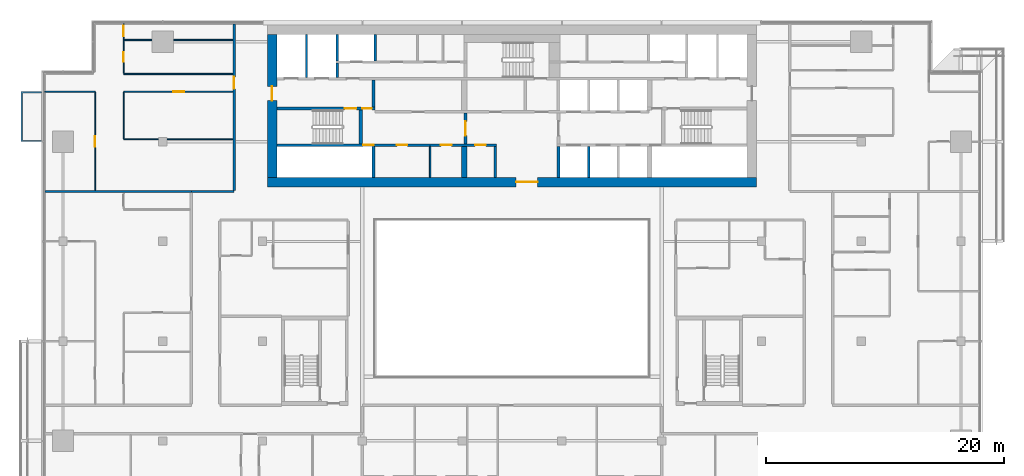
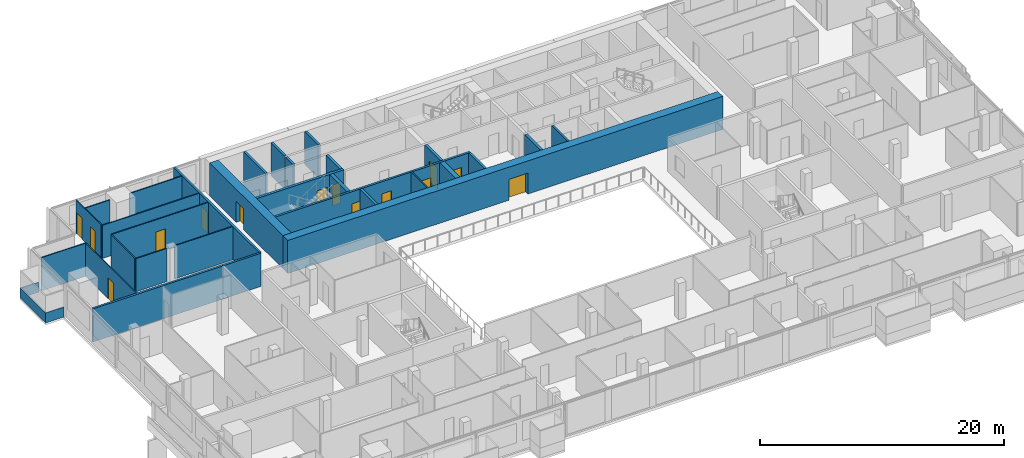
# One storey, part 21 of 30: 31 walls, 14 doors, 14 openings.
"""IFC4 building model written with IfcOpenShell, lengths in metres."""

from ifc_helpers import new_model, si_unit, direction, frame, frame_2d, origin, place, context, subcontext, project, spatial, polyline, rectangle, outline, extrude, material, layer, layer_set, type_object, element, fill, save


model = new_model("IFC4")

# Units and contexts
model_context = context("Model", 3, precision=1e-05, world=origin(), true_north=direction((0.0, 1.0)))
body_context = subcontext(model_context, "Body", "Model", "MODEL_VIEW")
ifc_project = project(units=[si_unit("LENGTHUNIT", "METRE"), si_unit("AREAUNIT", "SQUARE_METRE"), si_unit("VOLUMEUNIT", "CUBIC_METRE"), si_unit("PLANEANGLEUNIT", "RADIAN"), si_unit("MASSUNIT", "GRAM", prefix="KILO")], contexts=[model_context])

# Site, building, storey
site_placement = place(None, origin())
site = spatial("IfcSite", under=ifc_project, at=site_placement, CompositionType="ELEMENT")
building_placement = place(site_placement, origin())
building = spatial("IfcBuilding", under=site, at=building_placement, Name="Saffron Gate Tower", CompositionType="ELEMENT")
storey_placement = place(building_placement, frame((0.0, 0.0, 165.449951171875)))
storey = spatial("IfcBuildingStorey", under=building, at=storey_placement, Name="L40", CompositionType="ELEMENT", Elevation=165.449951171875)

# Wall
ifc_material_1 = material(Name="Gypsum board partition on steel studs", Category="steel")
ifc_layer_1 = layer(ifc_material_1, 0.199951171875)
ifc_layer_set_1 = layer_set([ifc_layer_1], Name="CW10 Core partition 200")
wall_type_1 = type_object("IfcWallType", Name="CW10 Core partition 200", PredefinedType="PARTITIONING", material=ifc_layer_set_1)
wall_1_placement = place(storey_placement, frame((86.199951171875, 62.39990234375, 0.0), z_axis=(0.0, 0.0, 1.0), x_axis=(0.0, 1.0, 0.0)))
element("IfcWall", 1, at=wall_1_placement, inside=storey, type_object=wall_type_1, Name="Wall CW10-L40-8", PredefinedType="PARTITIONING", context=body_context, shape_type="SweptSolid", body=[
    extrude(rectangle(XDim=2.60009765625, YDim=0.199951171875, at=frame_2d((1.300048828125, 0.0))), origin(), (0.0, 0.0, 1.0), 3.320068359375),
])

# Wall, opening, door
ifc_material_2 = material(Name="Concrete C60", Category="concrete")
ifc_layer_2 = layer(ifc_material_2, 0.800048828125)
ifc_layer_set_2 = layer_set([ifc_layer_2], Name="CW13 RC core wall 800 C60")
wall_type_2 = type_object("IfcWallType", Name="CW13 RC core wall 800 C60", PredefinedType="SOLIDWALL", material=ifc_layer_set_2)
wall_2_placement = place(storey_placement, frame((67.0, 62.0, 0.0), z_axis=(0.0, 0.0, 1.0), x_axis=(1.0, 0.0, 0.0)))
wall_2 = element("IfcWall", 2, at=wall_2_placement, inside=storey, type_object=wall_type_2, Name="Wall CW13-L40-1", PredefinedType="SOLIDWALL", context=body_context, shape_type="SweptSolid", body=[
    extrude(rectangle(XDim=41.199951171875, YDim=0.800048828125, at=frame_2d((20.60009765625, 0.0))), origin(), (0.0, 0.0, 1.0), 3.320068359375),
])
opening_1_placement = place(wall_2_placement, frame((20.949951171875, 0.0, 0.0)))
opening_1 = element("IfcOpeningElement", 3, at=opening_1_placement, cuts=wall_2, Name="Opening CR-09", PredefinedType="OPENING", context=body_context, shape_type="SweptSolid", body=[
    extrude(rectangle(XDim=1.800048828125, YDim=2.10009765625, at=frame_2d((0.89990234375, 1.050048828125))), frame((0.0, 0.41015625, 0.0), z_axis=(0.0, -1.0, 0.0), x_axis=(1.0, 0.0, 0.0)), (0.0, 0.0, 1.0), 0.820068359375),
])
ifc_material_3 = material(Name="Steel fire door set", Category="steel")
door_type_1 = type_object("IfcDoorType", Name="CD1 Core entrance door 1800x2100 EI 120", OperationType="NOTDEFINED", PredefinedType="DOOR", material=ifc_material_3)
door_1_placement = place(opening_1_placement, origin())
door_1 = element("IfcDoor", 4, at=door_1_placement, inside=storey, type_object=door_type_1, Name="DOOR CR-09", OperationType="DOUBLE_DOOR_SINGLE_SWING", OverallHeight=2.10009765625, OverallWidth=1.800048828125, PredefinedType="DOOR", context=body_context, shape_type="SweptSolid", body=[
    extrude(rectangle(XDim=1.800048828125, YDim=2.10009765625, at=frame_2d((0.89990234375, 1.050048828125))), frame((0.0, 0.02490234375, 0.0), z_axis=(0.0, -1.0, 0.0), x_axis=(1.0, 0.0, 0.0)), (0.0, 0.0, 1.0), 0.050048828125),
])
fill(opening_1, door_1)

wall_3_placement = place(storey_placement, frame((67.39990234375, 62.39990234375, 0.0), z_axis=(0.0, 0.0, 1.0), x_axis=(0.0, 1.0, 0.0)))
wall_3 = element("IfcWall", 5, at=wall_3_placement, inside=storey, type_object=wall_type_2, Name="Wall CW13-L40-3", PredefinedType="SOLIDWALL", context=body_context, shape_type="SweptSolid", body=[
    extrude(rectangle(XDim=12.0, YDim=0.800048828125, at=frame_2d((6.0, 0.0))), origin(), (0.0, 0.0, 1.0), 3.320068359375),
])
opening_2_placement = place(wall_3_placement, frame((6.449951171875, 0.0, 0.0)))
opening_2 = element("IfcOpeningElement", 6, at=opening_2_placement, cuts=wall_3, Name="Opening CR-10", PredefinedType="OPENING", context=body_context, shape_type="SweptSolid", body=[
    extrude(rectangle(XDim=1.199951171875, YDim=2.10009765625, at=frame_2d((0.60009765625, 1.050048828125))), frame((0.0, 0.41015625, 0.0), z_axis=(0.0, -1.0, 0.0), x_axis=(1.0, 0.0, 0.0)), (0.0, 0.0, 1.0), 0.820068359375),
])
door_type_2 = type_object("IfcDoorType", Name="CD7 Core entrance door 1200x2100 EI 120", OperationType="NOTDEFINED", PredefinedType="DOOR", material=ifc_material_3)
door_2_placement = place(opening_2_placement, origin())
door_2 = element("IfcDoor", 7, at=door_2_placement, inside=storey, type_object=door_type_2, Name="DOOR CR-10", OperationType="SINGLE_SWING_LEFT", OverallHeight=2.10009765625, OverallWidth=1.199951171875, PredefinedType="DOOR", context=body_context, shape_type="SweptSolid", body=[
    extrude(rectangle(XDim=1.199951171875, YDim=2.10009765625, at=frame_2d((0.60009765625, 1.050048828125))), frame((0.0, 0.02490234375, 0.0), z_axis=(0.0, -1.0, 0.0), x_axis=(1.0, 0.0, 0.0)), (0.0, 0.0, 1.0), 0.050048828125),
])
fill(opening_2, door_2)

# Walls
ifc_layer_3 = layer(ifc_material_2, 0.25)
ifc_layer_set_3 = layer_set([ifc_layer_3], Name="CW14 RC core wall 250 C60")
wall_type_3 = type_object("IfcWallType", Name="CW14 RC core wall 250 C60", PredefinedType="SOLIDWALL", material=ifc_layer_set_3)
for number, where, z_axis, x_axis, name in (
    (8, (75.925048828125, 62.39990234375, 0.0), (0.0, 0.0, 1.0), (0.0, 1.0, 0.0), "Wall CW14-L40-5"),
    (9, (91.52490234375, 62.39990234375, 0.0), (0.0, 0.0, 1.0), (0.0, 1.0, 0.0), "Wall CW14-L40-9"),
):
    element("IfcWall", number, at=place(storey_placement, frame(where, z_axis=z_axis, x_axis=x_axis)), inside=storey, type_object=wall_type_3, Name=name, PredefinedType="SOLIDWALL", context=body_context, shape_type="SweptSolid", body=[
        extrude(rectangle(XDim=2.60009765625, YDim=0.25, at=frame_2d((1.300048828125, 0.0))), origin(), (0.0, 0.0, 1.0), 3.320068359375),
    ])

# Wall, opening, door
wall_4_placement = place(storey_placement, frame((83.675048828125, 65.199951171875, 0.0), z_axis=(0.0, 0.0, 1.0), x_axis=(0.0, 1.0, 0.0)))
wall_4 = element("IfcWall", 10, at=wall_4_placement, inside=storey, type_object=wall_type_3, Name="Wall CW14-L40-16", PredefinedType="SOLIDWALL", context=body_context, shape_type="SweptSolid", body=[
    extrude(rectangle(XDim=2.60009765625, YDim=0.25, at=frame_2d((1.300048828125, 0.0))), origin(), (0.0, 0.0, 1.0), 3.320068359375),
])
opening_3_placement = place(wall_4_placement, frame((0.699951171875, 0.0, 0.0)))
opening_3 = element("IfcOpeningElement", 11, at=opening_3_placement, cuts=wall_4, Name="Opening CR-07", PredefinedType="OPENING", context=body_context, shape_type="SweptSolid", body=[
    extrude(rectangle(XDim=1.199951171875, YDim=2.10009765625, at=frame_2d((0.60009765625, 1.050048828125))), frame((0.0, 0.135009765625, 0.0), z_axis=(0.0, -1.0, 0.0), x_axis=(1.0, 0.0, 0.0)), (0.0, 0.0, 1.0), 0.27001953125),
])
door_type_3 = type_object("IfcDoorType", Name="CD3 Lobby door 1200x2100 EI 120", OperationType="NOTDEFINED", PredefinedType="DOOR", material=ifc_material_3)
door_3_placement = place(opening_3_placement, origin())
door_3 = element("IfcDoor", 12, at=door_3_placement, inside=storey, type_object=door_type_3, Name="DOOR CR-07", OperationType="SINGLE_SWING_RIGHT", OverallHeight=2.10009765625, OverallWidth=1.199951171875, PredefinedType="DOOR", context=body_context, shape_type="SweptSolid", body=[
    extrude(rectangle(XDim=1.199951171875, YDim=2.10009765625, at=frame_2d((0.60009765625, 1.050048828125))), frame((0.0, 0.02490234375, 0.0), z_axis=(0.0, -1.0, 0.0), x_axis=(1.0, 0.0, 0.0)), (0.0, 0.0, 1.0), 0.050048828125),
])
fill(opening_3, door_3)

# Wall, openings, doors
wall_5_placement = place(storey_placement, frame((67.800048828125, 68.175048828125, 0.0), z_axis=(0.0, 0.0, 1.0), x_axis=(1.0, 0.0, 0.0)))
wall_5 = element("IfcWall", 13, at=wall_5_placement, inside=storey, type_object=wall_type_3, Name="Wall CW14-L40-26", PredefinedType="SOLIDWALL", context=body_context, shape_type="SweptSolid", body=[
    extrude(rectangle(XDim=8.25, YDim=0.25, at=frame_2d((4.125, 0.0))), origin(), (0.0, 0.0, 1.0), 3.320068359375),
])
opening_4_placement = place(wall_5_placement, frame((5.699951171875, 0.0, 0.0)))
opening_4 = element("IfcOpeningElement", 14, at=opening_4_placement, cuts=wall_5, Name="Opening CR-15", PredefinedType="OPENING", context=body_context, shape_type="SweptSolid", body=[
    extrude(rectangle(XDim=1.0, YDim=2.10009765625, at=frame_2d((0.5, 1.050048828125))), frame((0.0, 0.135009765625, 0.0), z_axis=(0.0, -1.0, 0.0), x_axis=(1.0, 0.0, 0.0)), (0.0, 0.0, 1.0), 0.27001953125),
])
opening_5_placement = place(wall_5_placement, frame((7.199951171875, 0.0, 0.0)))
opening_5 = element("IfcOpeningElement", 15, at=opening_5_placement, cuts=wall_5, Name="Opening CR-06", PredefinedType="OPENING", context=body_context, shape_type="SweptSolid", body=[
    extrude(rectangle(XDim=0.800048828125, YDim=2.10009765625, at=frame_2d((0.39990234375, 1.050048828125))), frame((0.0, 0.135009765625, 0.0), z_axis=(0.0, -1.0, 0.0), x_axis=(1.0, 0.0, 0.0)), (0.0, 0.0, 1.0), 0.27001953125),
])
door_type_4 = type_object("IfcDoorType", Name="CD5 Stair door 1000x2100 EI 120", OperationType="NOTDEFINED", PredefinedType="DOOR", material=ifc_material_3)
door_4_placement = place(opening_4_placement, origin())
door_4 = element("IfcDoor", 16, at=door_4_placement, inside=storey, type_object=door_type_4, Name="DOOR CR-15", OperationType="SINGLE_SWING_RIGHT", OverallHeight=2.10009765625, OverallWidth=1.0, PredefinedType="DOOR", context=body_context, shape_type="SweptSolid", body=[
    extrude(rectangle(XDim=1.0, YDim=2.10009765625, at=frame_2d((0.5, 1.050048828125))), frame((0.0, 0.02490234375, 0.0), z_axis=(0.0, -1.0, 0.0), x_axis=(1.0, 0.0, 0.0)), (0.0, 0.0, 1.0), 0.050048828125),
])
fill(opening_4, door_4)
door_type_5 = type_object("IfcDoorType", Name="CD6 Lobby door 800x2100 EI 120", OperationType="NOTDEFINED", PredefinedType="DOOR", material=ifc_material_3)
door_5_placement = place(opening_5_placement, origin())
door_5 = element("IfcDoor", 17, at=door_5_placement, inside=storey, type_object=door_type_5, Name="DOOR CR-06", OperationType="SINGLE_SWING_LEFT", OverallHeight=2.10009765625, OverallWidth=0.800048828125, PredefinedType="DOOR", context=body_context, shape_type="SweptSolid", body=[
    extrude(rectangle(XDim=0.800048828125, YDim=2.10009765625, at=frame_2d((0.39990234375, 1.050048828125))), frame((0.0, 0.02490234375, 0.0), z_axis=(0.0, -1.0, 0.0), x_axis=(1.0, 0.0, 0.0)), (0.0, 0.0, 1.0), 0.050048828125),
])
fill(opening_5, door_5)

# Walls
wall_6_placement = place(storey_placement, frame((75.925048828125, 68.300048828125, 0.0), z_axis=(0.0, 0.0, 1.0), x_axis=(0.0, 1.0, 0.0)))
element("IfcWall", 18, at=wall_6_placement, inside=storey, type_object=wall_type_3, Name="Wall CW14-L40-28", PredefinedType="SOLIDWALL", context=body_context, shape_type="SweptSolid", body=[
    extrude(rectangle(XDim=2.300048828125, YDim=0.25, at=frame_2d((1.14990234375, 0.0))), origin(), (0.0, 0.0, 1.0), 3.320068359375),
])
ifc_layer_4 = layer(ifc_material_2, 0.199951171875)
ifc_layer_set_4 = layer_set([ifc_layer_4], Name="CW15 RC core wall 200 C60")
wall_type_4 = type_object("IfcWallType", Name="CW15 RC core wall 200 C60", PredefinedType="SOLIDWALL", material=ifc_layer_set_4)
wall_7_placement = place(storey_placement, frame((94.050048828125, 62.39990234375, 0.0), z_axis=(0.0, 0.0, 1.0), x_axis=(0.0, 1.0, 0.0)))
element("IfcWall", 19, at=wall_7_placement, inside=storey, type_object=wall_type_4, Name="Wall CW15-L40-10", PredefinedType="SOLIDWALL", context=body_context, shape_type="SweptSolid", body=[
    extrude(rectangle(XDim=2.60009765625, YDim=0.199951171875, at=frame_2d((1.300048828125, 0.0))), origin(), (0.0, 0.0, 1.0), 3.320068359375),
])

# Wall, openings, doors
wall_8_placement = place(storey_placement, frame((67.800048828125, 65.10009765625, 0.0), z_axis=(0.0, 0.0, 1.0), x_axis=(1.0, 0.0, 0.0)))
wall_8 = element("IfcWall", 20, at=wall_8_placement, inside=storey, type_object=wall_type_4, Name="Wall CW15-L40-13", PredefinedType="SOLIDWALL", context=body_context, shape_type="SweptSolid", body=[
    extrude(rectangle(XDim=18.5, YDim=0.199951171875, at=frame_2d((9.25, 0.0))), origin(), (0.0, 0.0, 1.0), 3.320068359375),
])
opening_6_placement = place(wall_8_placement, frame((7.27001953125, 0.0, 0.0)))
opening_6 = element("IfcOpeningElement", 21, at=opening_6_placement, cuts=wall_8, Name="Opening CR-49", PredefinedType="OPENING", context=body_context, shape_type="SweptSolid", body=[
    extrude(rectangle(XDim=0.89990234375, YDim=2.10009765625, at=frame_2d((0.449951171875, 1.050048828125))), frame((0.0, 0.10986328125, 0.0), z_axis=(0.0, -1.0, 0.0), x_axis=(1.0, 0.0, 0.0)), (0.0, 0.0, 1.0), 0.219970703125),
])
opening_7_placement = place(wall_8_placement, frame((10.10009765625, 0.0, 0.0)))
opening_7 = element("IfcOpeningElement", 22, at=opening_7_placement, cuts=wall_8, Name="Opening CR-64", PredefinedType="OPENING", context=body_context, shape_type="SweptSolid", body=[
    extrude(rectangle(XDim=0.89990234375, YDim=2.10009765625, at=frame_2d((0.449951171875, 1.050048828125))), frame((0.0, 0.10986328125, 0.0), z_axis=(0.0, -1.0, 0.0), x_axis=(1.0, 0.0, 0.0)), (0.0, 0.0, 1.0), 0.219970703125),
])
opening_8_placement = place(wall_8_placement, frame((13.81005859375, 0.0, 0.0)))
opening_8 = element("IfcOpeningElement", 23, at=opening_8_placement, cuts=wall_8, Name="Opening CR-65", PredefinedType="OPENING", context=body_context, shape_type="SweptSolid", body=[
    extrude(rectangle(XDim=0.89990234375, YDim=2.10009765625, at=frame_2d((0.449951171875, 1.050048828125))), frame((0.0, 0.10986328125, 0.0), z_axis=(0.0, -1.0, 0.0), x_axis=(1.0, 0.0, 0.0)), (0.0, 0.0, 1.0), 0.219970703125),
])
opening_9_placement = place(wall_8_placement, frame((16.699951171875, 0.0, 0.0)))
opening_9 = element("IfcOpeningElement", 24, at=opening_9_placement, cuts=wall_8, Name="Opening CR-69", PredefinedType="OPENING", context=body_context, shape_type="SweptSolid", body=[
    extrude(rectangle(XDim=0.89990234375, YDim=2.10009765625, at=frame_2d((0.449951171875, 1.050048828125))), frame((0.0, 0.10986328125, 0.0), z_axis=(0.0, -1.0, 0.0), x_axis=(1.0, 0.0, 0.0)), (0.0, 0.0, 1.0), 0.219970703125),
])
door_type_6 = type_object("IfcDoorType", Name="CD2 Riser door 900x2100 EI 60", OperationType="NOTDEFINED", PredefinedType="DOOR", material=ifc_material_3)
door_6_placement = place(opening_6_placement, origin())
door_6 = element("IfcDoor", 25, at=door_6_placement, inside=storey, type_object=door_type_6, Name="DOOR CR-49", OperationType="SINGLE_SWING_LEFT", OverallHeight=2.10009765625, OverallWidth=0.89990234375, PredefinedType="DOOR", context=body_context, shape_type="SweptSolid", body=[
    extrude(rectangle(XDim=0.89990234375, YDim=2.10009765625, at=frame_2d((0.449951171875, 1.050048828125))), frame((0.0, 0.02490234375, 0.0), z_axis=(0.0, -1.0, 0.0), x_axis=(1.0, 0.0, 0.0)), (0.0, 0.0, 1.0), 0.050048828125),
])
fill(opening_6, door_6)
door_type_7 = type_object("IfcDoorType", Name="CD9 Room door 900x2100 EI 60", OperationType="NOTDEFINED", PredefinedType="DOOR", material=ifc_material_3)
door_7_placement = place(opening_7_placement, origin())
door_7 = element("IfcDoor", 26, at=door_7_placement, inside=storey, type_object=door_type_7, Name="DOOR CR-64", OperationType="SINGLE_SWING_RIGHT", OverallHeight=2.10009765625, OverallWidth=0.89990234375, PredefinedType="DOOR", context=body_context, shape_type="SweptSolid", body=[
    extrude(rectangle(XDim=0.89990234375, YDim=2.10009765625, at=frame_2d((0.449951171875, 1.050048828125))), frame((0.0, 0.02490234375, 0.0), z_axis=(0.0, -1.0, 0.0), x_axis=(1.0, 0.0, 0.0)), (0.0, 0.0, 1.0), 0.050048828125),
])
fill(opening_7, door_7)
door_8_placement = place(opening_8_placement, origin())
door_8 = element("IfcDoor", 27, at=door_8_placement, inside=storey, type_object=door_type_7, Name="DOOR CR-65", OperationType="SINGLE_SWING_RIGHT", OverallHeight=2.10009765625, OverallWidth=0.89990234375, PredefinedType="DOOR", context=body_context, shape_type="SweptSolid", body=[
    extrude(rectangle(XDim=0.89990234375, YDim=2.10009765625, at=frame_2d((0.449951171875, 1.050048828125))), frame((0.0, 0.02490234375, 0.0), z_axis=(0.0, -1.0, 0.0), x_axis=(1.0, 0.0, 0.0)), (0.0, 0.0, 1.0), 0.050048828125),
])
fill(opening_8, door_8)
door_9_placement = place(opening_9_placement, origin())
door_9 = element("IfcDoor", 28, at=door_9_placement, inside=storey, type_object=door_type_7, Name="DOOR CR-69", OperationType="SINGLE_SWING_RIGHT", OverallHeight=2.10009765625, OverallWidth=0.89990234375, PredefinedType="DOOR", context=body_context, shape_type="SweptSolid", body=[
    extrude(rectangle(XDim=0.89990234375, YDim=2.10009765625, at=frame_2d((0.449951171875, 1.050048828125))), frame((0.0, 0.02490234375, 0.0), z_axis=(0.0, -1.0, 0.0), x_axis=(1.0, 0.0, 0.0)), (0.0, 0.0, 1.0), 0.050048828125),
])
fill(opening_9, door_9)

# Walls
wall_9_placement = place(storey_placement, frame((70.300048828125, 70.800048828125, 0.0), z_axis=(0.0, 0.0, 1.0), x_axis=(0.0, 1.0, 0.0)))
element("IfcWall", 29, at=wall_9_placement, inside=storey, type_object=wall_type_4, Name="Wall CW15-L40-31", PredefinedType="SOLIDWALL", context=body_context, shape_type="SweptSolid", body=[
    extrude(rectangle(XDim=3.599853515625, YDim=0.199951171875, at=frame_2d((1.7998046875, 0.0))), origin(), (0.0, 0.0, 1.0), 3.320068359375),
])
wall_10_placement = place(storey_placement, frame((72.89990234375, 70.800048828125, 0.0), z_axis=(0.0, 0.0, 1.0), x_axis=(0.0, 1.0, 0.0)))
element("IfcWall", 30, at=wall_10_placement, inside=storey, type_object=wall_type_4, Name="Wall CW15-L40-32", PredefinedType="SOLIDWALL", context=body_context, shape_type="SweptSolid", body=[
    extrude(rectangle(XDim=1.199951171875, YDim=0.199951171875, at=frame_2d((0.60009765625, 0.0))), origin(), (0.0, 0.0, 1.0), 3.320068359375),
])
for number, where, z_axis, x_axis, name in (
    (31, (72.89990234375, 72.199951171875, 0.0), (0.0, 0.0, 1.0), (0.0, 1.0, 0.0), "Wall CW15-L40-39"),
    (32, (76.10009765625, 72.199951171875, 0.0), (0.0, 0.0, 1.0), (0.0, 1.0, 0.0), "Wall CW15-L40-40"),
):
    element("IfcWall", number, at=place(storey_placement, frame(where, z_axis=z_axis, x_axis=x_axis)), inside=storey, type_object=wall_type_4, Name=name, PredefinedType="SOLIDWALL", context=body_context, shape_type="SweptSolid", body=[
        extrude(rectangle(XDim=2.199951171875, YDim=0.199951171875, at=frame_2d((1.10009765625, 0.0))), origin(), (0.0, 0.0, 1.0), 3.320068359375),
    ])
ifc_layer_5 = layer(ifc_material_2, 0.449951171875)
ifc_layer_set_5 = layer_set([ifc_layer_5], Name="CW16 RC core wall 450 C60")
wall_type_5 = type_object("IfcWallType", Name="CW16 RC core wall 450 C60", PredefinedType="SOLIDWALL", material=ifc_layer_set_5)
wall_11_placement = place(storey_placement, frame((83.574951171875, 62.39990234375, 0.0), z_axis=(0.0, 0.0, 1.0), x_axis=(0.0, 1.0, 0.0)))
element("IfcWall", 33, at=wall_11_placement, inside=storey, type_object=wall_type_5, Name="Wall CW16-L40-7", PredefinedType="SOLIDWALL", context=body_context, shape_type="SweptSolid", body=[
    extrude(rectangle(XDim=2.60009765625, YDim=0.449951171875, at=frame_2d((1.300048828125, 0.0))), origin(), (0.0, 0.0, 1.0), 3.320068359375),
])
ifc_layer_6 = layer(ifc_material_2, 0.300048828125)
ifc_layer_set_6 = layer_set([ifc_layer_6], Name="CW17 RC core wall 300 C60")
wall_type_6 = type_object("IfcWallType", Name="CW17 RC core wall 300 C60", PredefinedType="SOLIDWALL", material=ifc_layer_set_6)
wall_12_placement = place(storey_placement, frame((74.85009765625, 65.199951171875, 0.0), z_axis=(0.0, 0.0, 1.0), x_axis=(0.0, 1.0, 0.0)))
element("IfcWall", 34, at=wall_12_placement, inside=storey, type_object=wall_type_6, Name="Wall CW17-L40-15", PredefinedType="SOLIDWALL", context=body_context, shape_type="SweptSolid", body=[
    extrude(rectangle(XDim=2.85009765625, YDim=0.300048828125, at=frame_2d((1.425048828125, 0.0))), origin(), (0.0, 0.0, 1.0), 3.320068359375),
])
ifc_layer_7 = layer(ifc_material_1, 0.1201171875)
ifc_layer_set_7 = layer_set([ifc_layer_7], Name="CW8 Core partition 120")
wall_type_7 = type_object("IfcWallType", Name="CW8 Core partition 120", PredefinedType="PARTITIONING", material=ifc_layer_set_7)
wall_13_placement = place(storey_placement, frame((80.7099609375, 62.39990234375, 0.0), z_axis=(0.0, 0.0, 1.0), x_axis=(0.0, 1.0, 0.0)))
element("IfcWall", 35, at=wall_13_placement, inside=storey, type_object=wall_type_7, Name="Wall CW8-L40-6", PredefinedType="PARTITIONING", context=body_context, shape_type="SweptSolid", body=[
    extrude(rectangle(XDim=2.60009765625, YDim=0.1201171875, at=frame_2d((1.300048828125, 0.0))), origin(), (0.0, 0.0, 1.0), 3.320068359375),
])
ifc_material_4 = material(Name="Plasterboard on steel studs", Category="steel")
ifc_layer_8 = layer(ifc_material_4, 0.10009765625)
ifc_layer_set_8 = layer_set([ifc_layer_8], Name="PW1 Partition 100")
wall_type_8 = type_object("IfcWallType", Name="PW1 Partition 100", PredefinedType="PARTITIONING", material=ifc_layer_set_8)
wall_14_placement = place(storey_placement, frame((54.89990234375, 65.608642578125, 0.0), z_axis=(0.0, 0.0, 1.0), x_axis=(1.0, 0.0, 0.0)))
element("IfcWall", 36, at=wall_14_placement, inside=storey, type_object=wall_type_8, Name="Partition C2-49", PredefinedType="PARTITIONING", context=body_context, shape_type="SweptSolid", body=[
    extrude(rectangle(XDim=2.93017578125, YDim=0.10009765625, at=frame_2d((1.465087890625, 0.0))), origin(), (0.0, 0.0, 1.0), 3.320068359375),
])
wall_15_placement = place(storey_placement, frame((58.570068359375, 65.608642578125, 0.0), z_axis=(0.0, 0.0, 1.0), x_axis=(1.0, 0.0, 0.0)))
element("IfcWall", 37, at=wall_15_placement, inside=storey, type_object=wall_type_8, Name="Partition C2-50", PredefinedType="PARTITIONING", context=body_context, shape_type="SweptSolid", body=[
    extrude(rectangle(XDim=5.530029296875, YDim=0.10009765625, at=frame_2d((2.76513671875, 0.0))), origin(), (0.0, 0.0, 1.0), 3.320068359375),
])
wall_16_placement = place(storey_placement, frame((48.280029296875, 69.60009765625, 0.0), z_axis=(0.0, 0.0, 1.0), x_axis=(1.0, 0.0, 0.0)))
element("IfcWall", 38, at=wall_16_placement, inside=storey, type_object=wall_type_8, Name="Partition C2-52", PredefinedType="PARTITIONING", context=body_context, shape_type="SweptSolid", body=[
    extrude(rectangle(XDim=4.219970703125, YDim=0.10009765625, at=frame_2d((2.10986328125, 0.0))), origin(), (0.0, 0.0, 1.0), 3.320068359375),
])

# Wall, opening, door
wall_17_placement = place(storey_placement, frame((64.10009765625, 69.60009765625, 0.0), z_axis=(0.0, 0.0, 1.0), x_axis=(-1.0, 0.0, 0.0)))
wall_17 = element("IfcWall", 39, at=wall_17_placement, inside=storey, type_object=wall_type_8, Name="Partition C2-53", PredefinedType="PARTITIONING", context=body_context, shape_type="SweptSolid", body=[
    extrude(rectangle(XDim=9.2001953125, YDim=0.10009765625, at=frame_2d((4.60009765625, 0.0))), origin(), (0.0, 0.0, 1.0), 3.320068359375),
])
opening_10_placement = place(wall_17_placement, frame((4.10009765625, 0.0, 0.0)))
opening_10 = element("IfcOpeningElement", 40, at=opening_10_placement, cuts=wall_17, Name="Opening C2-29", PredefinedType="OPENING", context=body_context, shape_type="SweptSolid", body=[
    extrude(rectangle(XDim=0.89990234375, YDim=2.10009765625, at=frame_2d((0.449951171875, 1.050048828125))), frame((0.0, 0.06005859375, 0.0), z_axis=(0.0, -1.0, 0.0), x_axis=(1.0, 0.0, 0.0)), (0.0, 0.0, 1.0), 0.1201171875),
])
ifc_material_5 = material(Name="Timber door set", Category="wood")
door_type_8 = type_object("IfcDoorType", Name="RD1 Room door 900x2100", OperationType="NOTDEFINED", PredefinedType="DOOR", material=ifc_material_5)
door_10_placement = place(opening_10_placement, origin())
door_10 = element("IfcDoor", 41, at=door_10_placement, inside=storey, type_object=door_type_8, Name="Door C2-29", OperationType="SINGLE_SWING_LEFT", OverallHeight=2.10009765625, OverallWidth=0.89990234375, PredefinedType="DOOR", context=body_context, shape_type="SweptSolid", body=[
    extrude(rectangle(XDim=0.89990234375, YDim=2.10009765625, at=frame_2d((0.449951171875, 1.050048828125))), frame((0.0, 0.02490234375, 0.0), z_axis=(0.0, -1.0, 0.0), x_axis=(1.0, 0.0, 0.0)), (0.0, 0.0, 1.0), 0.050048828125),
])
fill(opening_10, door_10)

# Walls
wall_18_placement = place(storey_placement, frame((54.89990234375, 71.10009765625, 0.0), z_axis=(0.0, 0.0, 1.0), x_axis=(1.0, 0.0, 0.0)))
element("IfcWall", 42, at=wall_18_placement, inside=storey, type_object=wall_type_8, Name="Partition C2-56", PredefinedType="PARTITIONING", context=body_context, shape_type="SweptSolid", body=[
    extrude(rectangle(XDim=9.2001953125, YDim=0.10009765625, at=frame_2d((4.60009765625, 0.0))), origin(), (0.0, 0.0, 1.0), 3.320068359375),
])
wall_19_placement = place(storey_placement, frame((54.949951171875, 73.949462890625, 0.0), z_axis=(0.0, 0.0, 1.0), x_axis=(1.0, 0.0, 0.0)))
element("IfcWall", 43, at=wall_19_placement, inside=storey, type_object=wall_type_8, Name="Partition C2-60", PredefinedType="PARTITIONING", context=body_context, shape_type="SweptSolid", body=[
    extrude(rectangle(XDim=2.330078125, YDim=0.10009765625, at=frame_2d((1.1650390625, 0.0))), origin(), (0.0, 0.0, 1.0), 3.320068359375),
])
wall_20_placement = place(storey_placement, frame((59.1201171875, 73.949462890625, 0.0), z_axis=(0.0, 0.0, 1.0), x_axis=(1.0, 0.0, 0.0)))
element("IfcWall", 44, at=wall_20_placement, inside=storey, type_object=wall_type_8, Name="Partition C2-61", PredefinedType="PARTITIONING", context=body_context, shape_type="SweptSolid", body=[
    extrude(rectangle(XDim=4.97998046875, YDim=0.10009765625, at=frame_2d((2.489990234375, 0.0))), origin(), (0.0, 0.0, 1.0), 3.320068359375),
])

# Wall, opening, door
wall_21_placement = place(storey_placement, frame((52.5, 61.300048828125, 0.0), z_axis=(0.0, 0.0, 1.0), x_axis=(0.0, 1.0, 0.0)))
wall_21 = element("IfcWall", 45, at=wall_21_placement, inside=storey, type_object=wall_type_8, Name="Partition C2-63", PredefinedType="PARTITIONING", context=body_context, shape_type="SweptSolid", body=[
    extrude(rectangle(XDim=8.25, YDim=0.10009765625, at=frame_2d((4.125, 0.0))), origin(), (0.0, 0.0, 1.0), 3.320068359375),
])
opening_11_placement = place(wall_21_placement, frame((3.64990234375, 0.0, 0.0)))
opening_11 = element("IfcOpeningElement", 46, at=opening_11_placement, cuts=wall_21, Name="Opening C2-28", PredefinedType="OPENING", context=body_context, shape_type="SweptSolid", body=[
    extrude(rectangle(XDim=0.89990234375, YDim=2.10009765625, at=frame_2d((0.449951171875, 1.050048828125))), frame((0.0, 0.06005859375, 0.0), z_axis=(0.0, -1.0, 0.0), x_axis=(1.0, 0.0, 0.0)), (0.0, 0.0, 1.0), 0.1201171875),
])
door_11_placement = place(opening_11_placement, origin())
door_11 = element("IfcDoor", 47, at=door_11_placement, inside=storey, type_object=door_type_8, Name="Door C2-28", OperationType="SINGLE_SWING_LEFT", OverallHeight=2.10009765625, OverallWidth=0.89990234375, PredefinedType="DOOR", context=body_context, shape_type="SweptSolid", body=[
    extrude(rectangle(XDim=0.89990234375, YDim=2.10009765625, at=frame_2d((0.449951171875, 1.050048828125))), frame((0.0, 0.02490234375, 0.0), z_axis=(0.0, -1.0, 0.0), x_axis=(1.0, 0.0, 0.0)), (0.0, 0.0, 1.0), 0.050048828125),
])
fill(opening_11, door_11)

# Wall
wall_22_placement = place(storey_placement, frame((54.89990234375, 69.550048828125, 0.0), z_axis=(0.0, 0.0, 1.0), x_axis=(0.0, -1.0, 0.0)))
element("IfcWall", 48, at=wall_22_placement, inside=storey, type_object=wall_type_8, Name="Partition C2-67", PredefinedType="PARTITIONING", context=body_context, shape_type="SweptSolid", body=[
    extrude(rectangle(XDim=3.891357421875, YDim=0.10009765625, at=frame_2d((1.94580078125, 0.0))), origin(), (0.0, 0.0, 1.0), 3.320068359375),
])

# Wall, openings, doors
wall_23_placement = place(storey_placement, frame((54.89990234375, 75.320068359375, 0.0), z_axis=(0.0, 0.0, 1.0), x_axis=(0.0, -1.0, 0.0)))
wall_23 = element("IfcWall", 49, at=wall_23_placement, inside=storey, type_object=wall_type_8, Name="Partition C2-68", PredefinedType="PARTITIONING", context=body_context, shape_type="SweptSolid", body=[
    extrude(rectangle(XDim=4.170166015625, YDim=0.10009765625, at=frame_2d((2.0849609375, 0.0))), origin(), (0.0, 0.0, 1.0), 3.320068359375),
])
opening_12_placement = place(wall_23_placement, frame((0.14990234375, 0.0, 0.0)))
opening_12 = element("IfcOpeningElement", 50, at=opening_12_placement, cuts=wall_23, Name="Opening C2-30", PredefinedType="OPENING", context=body_context, shape_type="SweptSolid", body=[
    extrude(rectangle(XDim=0.89990234375, YDim=2.10009765625, at=frame_2d((0.449951171875, 1.050048828125))), frame((0.0, 0.06005859375, 0.0), z_axis=(0.0, -1.0, 0.0), x_axis=(1.0, 0.0, 0.0)), (0.0, 0.0, 1.0), 0.1201171875),
])
opening_13_placement = place(wall_23_placement, frame((2.395263671875, 0.0, 0.0)))
opening_13 = element("IfcOpeningElement", 51, at=opening_13_placement, cuts=wall_23, Name="Opening C2-47", PredefinedType="OPENING", context=body_context, shape_type="SweptSolid", body=[
    extrude(rectangle(XDim=0.800048828125, YDim=2.10009765625, at=frame_2d((0.39990234375, 1.050048828125))), frame((0.0, 0.06005859375, 0.0), z_axis=(0.0, -1.0, 0.0), x_axis=(1.0, 0.0, 0.0)), (0.0, 0.0, 1.0), 0.1201171875),
])
door_12_placement = place(opening_12_placement, origin())
door_12 = element("IfcDoor", 52, at=door_12_placement, inside=storey, type_object=door_type_8, Name="Door C2-30", OperationType="SINGLE_SWING_LEFT", OverallHeight=2.10009765625, OverallWidth=0.89990234375, PredefinedType="DOOR", context=body_context, shape_type="SweptSolid", body=[
    extrude(rectangle(XDim=0.89990234375, YDim=2.10009765625, at=frame_2d((0.449951171875, 1.050048828125))), frame((0.0, 0.02490234375, 0.0), z_axis=(0.0, -1.0, 0.0), x_axis=(1.0, 0.0, 0.0)), (0.0, 0.0, 1.0), 0.050048828125),
])
fill(opening_12, door_12)
door_type_9 = type_object("IfcDoorType", Name="RD2 Bathroom door 800x2100", OperationType="NOTDEFINED", PredefinedType="DOOR", material=ifc_material_5)
door_13_placement = place(opening_13_placement, origin())
door_13 = element("IfcDoor", 53, at=door_13_placement, inside=storey, type_object=door_type_9, Name="Door C2-47", OperationType="SINGLE_SWING_RIGHT", OverallHeight=2.10009765625, OverallWidth=0.800048828125, PredefinedType="DOOR", context=body_context, shape_type="SweptSolid", body=[
    extrude(rectangle(XDim=0.800048828125, YDim=2.10009765625, at=frame_2d((0.39990234375, 1.050048828125))), frame((0.0, 0.02490234375, 0.0), z_axis=(0.0, -1.0, 0.0), x_axis=(1.0, 0.0, 0.0)), (0.0, 0.0, 1.0), 0.050048828125),
])
fill(opening_13, door_13)

# Walls
ifc_material_6 = material(Name="Clay brick masonry, rendered", Category="masonry")
ifc_layer_9 = layer(ifc_material_6, 0.199951171875)
ifc_layer_set_9 = layer_set([ifc_layer_9], Name="PW2 Demising wall 200")
wall_type_9 = type_object("IfcWallType", Name="PW2 Demising wall 200", PredefinedType="PARTITIONING", material=ifc_layer_set_9)
wall_24_placement = place(storey_placement, frame((48.280029296875, 61.199951171875, 0.0), z_axis=(0.0, 0.0, 1.0), x_axis=(1.0, 0.0, 0.0)))
element("IfcWall", 54, at=wall_24_placement, inside=storey, type_object=wall_type_9, Name="Wall C2-45", PredefinedType="PARTITIONING", context=body_context, shape_type="SweptSolid", body=[
    extrude(rectangle(XDim=12.320068359375, YDim=0.199951171875, at=frame_2d((6.16015625, 0.0))), origin(), (0.0, 0.0, 1.0), 3.320068359375),
])
ifc_layer_10 = layer(ifc_material_6, 0.199951171875)
ifc_layer_set_10 = layer_set([ifc_layer_10], Name="PW3 Corridor wall 200")
wall_type_10 = type_object("IfcWallType", Name="PW3 Corridor wall 200", PredefinedType="PARTITIONING", material=ifc_layer_set_10)
wall_25_placement = place(storey_placement, frame((60.60009765625, 61.199951171875, 0.0), z_axis=(0.0, 0.0, 1.0), x_axis=(1.0, 0.0, 0.0)))
element("IfcWall", 55, at=wall_25_placement, inside=storey, type_object=wall_type_10, Name="Wall C2-43", PredefinedType="PARTITIONING", context=body_context, shape_type="SweptSolid", body=[
    extrude(rectangle(XDim=3.599853515625, YDim=0.199951171875, at=frame_2d((1.7998046875, 0.0))), origin(), (0.0, 0.0, 1.0), 3.320068359375),
])

# Wall, opening, door
wall_26_placement = place(storey_placement, frame((64.199951171875, 61.300048828125, 0.0), z_axis=(0.0, 0.0, 1.0), x_axis=(0.0, 1.0, 0.0)))
wall_26 = element("IfcWall", 56, at=wall_26_placement, inside=storey, type_object=wall_type_10, Name="Wall C2-75", PredefinedType="PARTITIONING", context=body_context, shape_type="SweptSolid", body=[
    extrude(rectangle(XDim=14.02001953125, YDim=0.199951171875, at=frame_2d((7.010009765625, 0.0))), origin(), (0.0, 0.0, 1.0), 3.320068359375),
])
opening_14_placement = place(wall_26_placement, frame((8.550048828125, 0.0, 0.0)))
opening_14 = element("IfcOpeningElement", 57, at=opening_14_placement, cuts=wall_26, Name="Opening C2-5", PredefinedType="OPENING", context=body_context, shape_type="SweptSolid", body=[
    extrude(rectangle(XDim=1.0, YDim=2.10009765625, at=frame_2d((0.5, 1.050048828125))), frame((0.0, 0.10986328125, 0.0), z_axis=(0.0, -1.0, 0.0), x_axis=(1.0, 0.0, 0.0)), (0.0, 0.0, 1.0), 0.219970703125),
])
ifc_material_7 = material(Name="Timber fire door set", Category="wood")
door_type_10 = type_object("IfcDoorType", Name="FD1 Flat entry door 1000x2100", OperationType="NOTDEFINED", PredefinedType="DOOR", material=ifc_material_7)
door_14_placement = place(opening_14_placement, origin())
door_14 = element("IfcDoor", 58, at=door_14_placement, inside=storey, type_object=door_type_10, Name="Door C2-5", OperationType="SINGLE_SWING_LEFT", OverallHeight=2.10009765625, OverallWidth=1.0, PredefinedType="DOOR", context=body_context, shape_type="SweptSolid", body=[
    extrude(rectangle(XDim=1.0, YDim=2.10009765625, at=frame_2d((0.5, 1.050048828125))), frame((0.0, 0.02490234375, 0.0), z_axis=(0.0, -1.0, 0.0), x_axis=(1.0, 0.0, 0.0)), (0.0, 0.0, 1.0), 0.050048828125),
])
fill(opening_14, door_14)

# Wall
ifc_material_8 = material(Name="Rendered insulated panel, white")
ifc_layer_11 = layer(ifc_material_8, 0.10009765625)
ifc_layer_set_11 = layer_set([ifc_layer_11], Name="WB3 box parapet white")
wall_type_11 = type_object("IfcWallType", Name="WB3 box parapet white", PredefinedType="SOLIDWALL", material=ifc_layer_set_11)
wall_27_placement = place(storey_placement, origin())
element("IfcWall", 59, at=wall_27_placement, inside=storey, type_object=wall_type_11, Name="WINDOW BOX parapet", PredefinedType="SOLIDWALL", context=body_context, shape_type="SweptSolid", body=[
    extrude(outline(polyline([(48.0, 69.60009765625), (48.0, 69.5), (46.366943359375, 69.5), (46.366943359375, 65.5), (48.0, 65.5), (48.0, 65.39990234375), (46.26708984375, 65.39990234375), (46.26708984375, 69.60009765625), (48.0, 69.60009765625)])), origin(), (0.0, 0.0, 1.0), 1.0),
])

save(model, "model.ifc")
